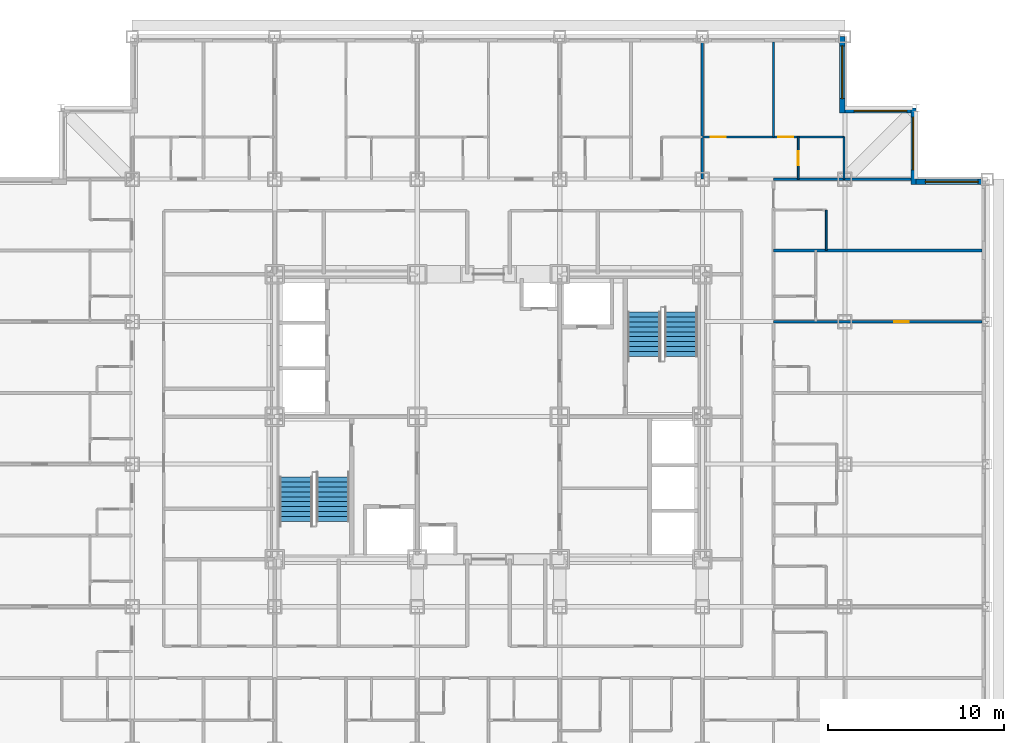
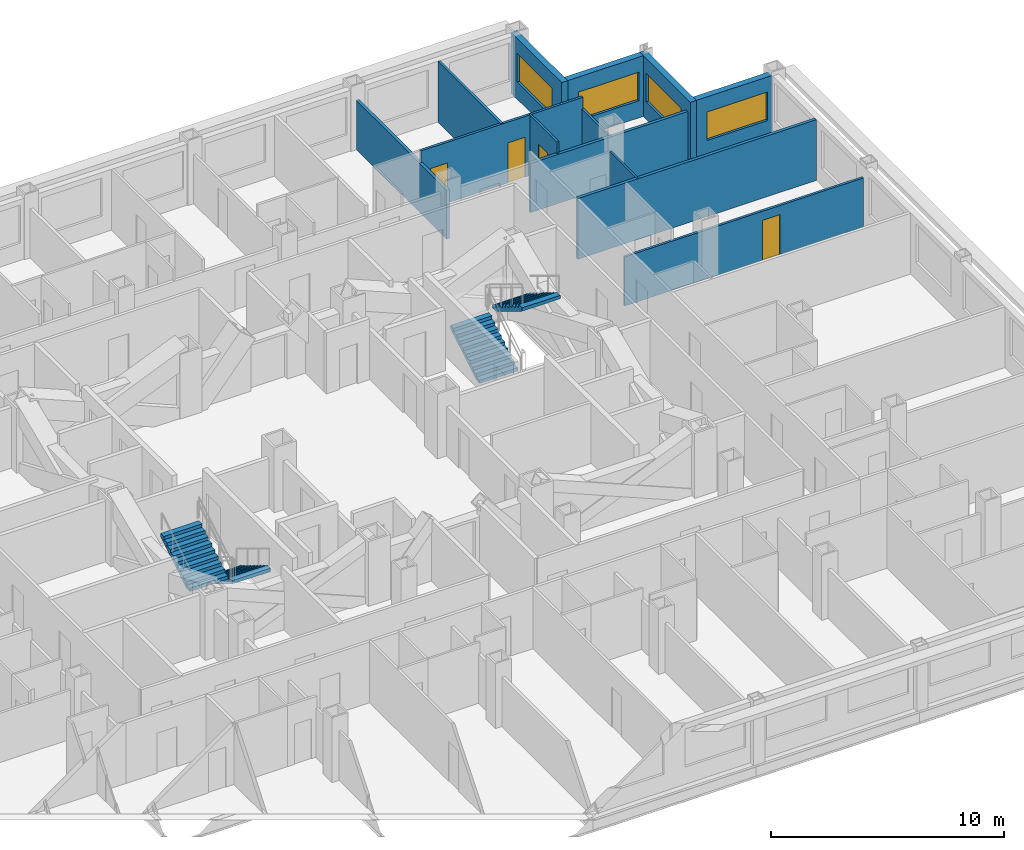
# One storey, part 12 of 13: 13 walls, 4 doors, 4 stair flights, 4 windows, 8 openings, 2 elements without a shape of their own.
"""IFC4 building model written with IfcOpenShell, lengths in metres."""

import ifcopenshell
import ifcopenshell.guid

model = None  # the IFC model being written
_history = None  # IfcOwnerHistory: only IFC2X3 demands one
_inside = {}  # id of a spatial element -> (the spatial element, [elements in it])
_under = {}  # id of a project, library or spatial element -> (it, [spatial elements below it])
_declared = {}  # id of a project -> (the project, [libraries it declares])
_typed = {}  # id of a type object -> (the type object, [elements of that type])
_made_of = {}  # id of a material, layer set ... -> (it, [elements and type objects made of it])


def new_model(schema):
    """Start an empty IFC model of exactly this schema.

    Asked for "IFC4X3", IfcOpenShell would pick the latest addendum, in which some entities
    have other attributes; the version numbers below select the first issue.
    IFC2X3 requires an IfcOwnerHistory on every rooted entity: one is made here for all.
    """
    global model, _history
    if schema == "IFC4X3":
        model = ifcopenshell.file(schema_version=(4, 3, 0, 0))
    else:
        model = ifcopenshell.file(schema=schema)
    _inside.clear()
    _under.clear()
    _declared.clear()
    _typed.clear()
    _made_of.clear()
    _history = None
    if model.schema == "IFC2X3":
        org = make("IfcOrganization", Name="unknown")
        user = make(
            "IfcPersonAndOrganization",
            ThePerson=make("IfcPerson", FamilyName="unknown"),
            TheOrganization=org,
        )
        app = make(
            "IfcApplication",
            ApplicationDeveloper=org,
            Version="unknown",
            ApplicationFullName="unknown",
            ApplicationIdentifier="unknown",
        )
        _history = make(
            "IfcOwnerHistory",
            OwningUser=user,
            OwningApplication=app,
            ChangeAction="ADDED",
            CreationDate=0,
        )
    return model


def make(cls, **values):
    """One entity of the class cls with the attributes given. An attribute that is None is left unset."""
    return model.create_entity(
        cls, **{name: value for name, value in values.items() if value is not None}
    )


def rooted(cls, **values):
    """An entity with a GlobalId (a new one), such as an element, a storey or a relation."""
    return make(cls, GlobalId=ifcopenshell.guid.new(), OwnerHistory=_history, **values)


def si_unit(unit_type, name, prefix=None):
    """IfcSIUnit, for example si_unit("LENGTHUNIT", "METRE", prefix="MILLI")."""
    return make("IfcSIUnit", UnitType=unit_type, Prefix=prefix, Name=name)


def assignment(units):
    """IfcUnitAssignment: the units of a project."""
    return None if units is None else make("IfcUnitAssignment", Units=units)


def point(xyz):
    """IfcCartesianPoint."""
    return None if xyz is None else make("IfcCartesianPoint", Coordinates=xyz)


def direction(xyz):
    """IfcDirection."""
    return None if xyz is None else make("IfcDirection", DirectionRatios=xyz)


def frame(location, z_axis=None, x_axis=None):
    """IfcAxis2Placement3D, a coordinate frame: its origin and axes. An axis left out is left unset."""
    return make(
        "IfcAxis2Placement3D",
        Location=point(location),
        Axis=direction(z_axis),
        RefDirection=direction(x_axis),
    )


def frame_2d(location, x_axis=None):
    """IfcAxis2Placement2D, a coordinate frame in the plane: its origin and x axis."""
    return make(
        "IfcAxis2Placement2D", Location=point(location), RefDirection=direction(x_axis)
    )


def origin():
    """The frame at (0, 0, 0) with its axes left unset."""
    return frame((0.0, 0.0, 0.0))


def place(relative_to, where):
    """IfcLocalPlacement: puts the frame where relative to a parent placement (None: the world)."""
    return make(
        "IfcLocalPlacement", PlacementRelTo=relative_to, RelativePlacement=where
    )


def context(
    kind, dimensions, precision=None, world=None, true_north=None, identifier=None
):
    """IfcGeometricRepresentationContext, for example the 3D "Model" context."""
    return make(
        "IfcGeometricRepresentationContext",
        ContextIdentifier=identifier,
        ContextType=kind,
        CoordinateSpaceDimension=dimensions,
        Precision=precision,
        WorldCoordinateSystem=world,
        TrueNorth=true_north,
    )


def subcontext(parent, identifier, kind, view, scale=None):
    """IfcGeometricRepresentationSubContext, for example "Body" below "Model"."""
    return make(
        "IfcGeometricRepresentationSubContext",
        ContextIdentifier=identifier,
        ContextType=kind,
        ParentContext=parent,
        TargetScale=scale,
        TargetView=view,
    )


def project(units=None, contexts=None):
    """IfcProject with its units and contexts."""
    return rooted(
        "IfcProject",
        Name="project",
        RepresentationContexts=contexts,
        UnitsInContext=assignment(units),
    )


def spatial(cls, under=None, at=None, **own):
    """A site, building, storey or space (cls), placed at a placement, below another one or the project."""
    s = rooted(cls, ObjectPlacement=at, **own)
    if under is not None:
        _under.setdefault(under.id(), (under, []))[1].append(s)
    return s


def point_list(points):
    """IfcCartesianPointList2D or 3D."""
    cls = (
        "IfcCartesianPointList2D" if len(points[0]) == 2 else "IfcCartesianPointList3D"
    )
    return make(cls, CoordList=points)


def profile(cls, at=None, kind="AREA", **sizes):
    """A parametric profile (cls). Its sizes go by their IFC names, for example OverallWidth=200.0."""
    return make(cls, ProfileType=kind, Position=at, **sizes)


def rectangle(**sizes):
    """IfcRectangleProfileDef."""
    return profile("IfcRectangleProfileDef", **sizes)


def extrude(swept, where, along, depth):
    """IfcExtrudedAreaSolid: the profile swept, set in the frame where, extruded along a direction by depth."""
    return make(
        "IfcExtrudedAreaSolid",
        SweptArea=swept,
        Position=where,
        ExtrudedDirection=direction(along),
        Depth=depth,
    )


def polygons(points, faces, closed=None, point_numbers=None):
    """IfcPolygonalFaceSet: a face is its outer loop, then its inner loops; points numbered from 1."""
    made = []
    for loops in faces:
        if len(loops) == 1:
            made.append(make("IfcIndexedPolygonalFace", CoordIndex=loops[0]))
        else:
            made.append(
                make(
                    "IfcIndexedPolygonalFaceWithVoids",
                    CoordIndex=loops[0],
                    InnerCoordIndices=loops[1:],
                )
            )
    return make(
        "IfcPolygonalFaceSet",
        Coordinates=point_list(points),
        Closed=closed,
        Faces=made,
        PnIndex=point_numbers,
    )


def shape(context_of_items, identifier, shape_type, items):
    """IfcShapeRepresentation: the items that make up one representation, for example the "Body"."""
    return make(
        "IfcShapeRepresentation",
        ContextOfItems=context_of_items,
        RepresentationIdentifier=identifier,
        RepresentationType=shape_type,
        Items=items,
    )


def source(mapping_origin, context_of_items, identifier, shape_type, items):
    """IfcRepresentationMap: a shape defined once, which mapped items show again and again."""
    return make(
        "IfcRepresentationMap",
        MappingOrigin=mapping_origin,
        MappedRepresentation=shape(context_of_items, identifier, shape_type, items),
    )


def transform(
    local_origin,
    x_axis=None,
    y_axis=None,
    z_axis=None,
    scale=None,
    scale2=None,
    scale3=None,
    uniform=True,
):
    """IfcCartesianTransformationOperator3D, or its non-uniform kind. x_axis, y_axis, z_axis: its Axis1, 2, 3."""
    if uniform:
        return make(
            "IfcCartesianTransformationOperator3D",
            Axis1=direction(x_axis),
            Axis2=direction(y_axis),
            LocalOrigin=point(local_origin),
            Scale=scale,
            Axis3=direction(z_axis),
        )
    return make(
        "IfcCartesianTransformationOperator3DnonUniform",
        Axis1=direction(x_axis),
        Axis2=direction(y_axis),
        LocalOrigin=point(local_origin),
        Scale=scale,
        Axis3=direction(z_axis),
        Scale2=scale2,
        Scale3=scale3,
    )


def mapped(mapping_source, mapping_target):
    """IfcMappedItem: shows the shape of a source again, moved by a transform."""
    return make(
        "IfcMappedItem", MappingSource=mapping_source, MappingTarget=mapping_target
    )


def material(Name=None, Category=None):
    """IfcMaterial."""
    return make("IfcMaterial", Name=Name, Category=Category)


def layer(
    of_material, thickness, ventilated=None, Name=None, Category=None, Priority=None
):
    """IfcMaterialLayer: one layer of a wall or slab, of a material (None: an air gap)."""
    return make(
        "IfcMaterialLayer",
        Material=of_material,
        LayerThickness=thickness,
        IsVentilated=ventilated,
        Name=Name,
        Category=Category,
        Priority=Priority,
    )


def layer_set(layers, Name=None):
    """IfcMaterialLayerSet."""
    return make("IfcMaterialLayerSet", MaterialLayers=layers, LayerSetName=Name)


def made_of(thing, what):
    """Note that an element or type object is made of a material, layer set ...; save() writes the relation."""
    if what is not None:
        _made_of.setdefault(what.id(), (what, []))[1].append(thing)
    return thing


def type_object(cls, material=None, **own):
    """A type object (cls), such as IfcWallType, which elements share."""
    return made_of(rooted(cls, **own), material)


def element(
    cls,
    number,
    at=None,
    inside=None,
    cuts=None,
    type_object=None,
    material=None,
    context=None,
    identifier="Body",
    shape_type=None,
    held_by="IfcProductDefinitionShape",
    body=None,
    shapes=None,
    **own,
):
    """One element of the class cls, such as IfcWall. Its Tag is "e" and its number.

    at: its placement. inside: the storey or other place that contains it. cuts: it is an
    opening in that element (IfcRelVoidsElement). A single representation is given by context,
    identifier, shape_type and body (its items); several are given by shapes. held_by: the class
    of the entity that holds the representations. save() writes the other relations.
    """
    e = rooted(cls, Tag="e%d" % number, ObjectPlacement=at, **own)
    if body is not None:
        shapes = [shape(context, identifier, shape_type, body)]
    if shapes is not None:
        e.Representation = make(held_by, Representations=shapes)
    if inside is not None:
        _inside.setdefault(inside.id(), (inside, []))[1].append(e)
    if cuts is not None:
        rooted(
            "IfcRelVoidsElement", RelatingBuildingElement=cuts, RelatedOpeningElement=e
        )
    if type_object is not None:
        _typed.setdefault(type_object.id(), (type_object, []))[1].append(e)
    return made_of(e, material)


def fill(opening, filler):
    """IfcRelFillsElement: the door or window that sits in an opening."""
    return rooted(
        "IfcRelFillsElement",
        RelatingOpeningElement=opening,
        RelatedBuildingElement=filler,
    )


def aggregate(whole, parts):
    """IfcRelAggregates: a whole, such as a stair, and the parts it consists of."""
    return rooted("IfcRelAggregates", RelatingObject=whole, RelatedObjects=parts)


def save(model, path):
    """Write the relations noted so far, then the file.

    IfcRelAggregates (storeys below a building ...), IfcRelContainedInSpatialStructure (elements
    in a storey), IfcRelDefinesByType, IfcRelAssociatesMaterial and IfcRelDeclares: one each for
    every whole, place, type object, material and project.
    """
    for whole, parts in _under.values():
        aggregate(whole, parts)
    for where, things in _inside.values():
        rooted(
            "IfcRelContainedInSpatialStructure",
            RelatedElements=things,
            RelatingStructure=where,
        )
    for kind, things in _typed.values():
        rooted("IfcRelDefinesByType", RelatedObjects=things, RelatingType=kind)
    for what, things in _made_of.values():
        rooted("IfcRelAssociatesMaterial", RelatedObjects=things, RelatingMaterial=what)
    for by, libraries in _declared.values():
        rooted("IfcRelDeclares", RelatingContext=by, RelatedDefinitions=libraries)
    model.write(path)


model = new_model("IFC4")

# Units and contexts
model_context = context("Model", 3, precision=1e-05, world=origin(), true_north=direction((0.0, 1.0)))
body_context = subcontext(model_context, "Body", "Model", "MODEL_VIEW")
ifc_project = project(units=[si_unit("LENGTHUNIT", "METRE"), si_unit("AREAUNIT", "SQUARE_METRE"), si_unit("VOLUMEUNIT", "CUBIC_METRE"), si_unit("PLANEANGLEUNIT", "RADIAN"), si_unit("MASSUNIT", "GRAM", prefix="KILO")], contexts=[model_context])

# Site, building, storey
site_placement = place(None, origin())
site = spatial("IfcSite", under=ifc_project, at=site_placement, CompositionType="ELEMENT")
building_placement = place(site_placement, origin())
building = spatial("IfcBuilding", under=site, at=building_placement, Name="Kopane Lantern Tower", CompositionType="ELEMENT")
storey_placement = place(building_placement, frame((0.0, 0.0, 134.0)))
storey = spatial("IfcBuildingStorey", under=building, at=storey_placement, Name="L34", CompositionType="ELEMENT", Elevation=134.0)

# Wall, opening, door
ifc_material_1 = material(Name="Gypsum board on steel studs", Category="steel")
ifc_layer_1 = layer(ifc_material_1, 0.1201171875)
ifc_layer_set_1 = layer_set([ifc_layer_1], Name="APARTMENT INTERNAL WALL 120")
wall_type_1 = type_object("IfcWallType", Name="APARTMENT INTERNAL WALL 120", PredefinedType="PARTITIONING", material=ifc_layer_set_1)
wall_1_placement = place(storey_placement, frame((44.550048828125, 37.800048828125, 0.0), z_axis=(0.0, 0.0, 1.0), x_axis=(1.0, 0.0, 0.0)))
wall_1 = element("IfcWall", 1, at=wall_1_placement, inside=storey, type_object=wall_type_1, Name="Apartment Internal Wall 120 L34", PredefinedType="PARTITIONING", context=body_context, shape_type="SweptSolid", body=[
    extrude(rectangle(XDim=11.849853515625, YDim=0.1201171875, at=frame_2d((5.9248046875, 0.0))), origin(), (0.0, 0.0, 1.0), 2.577880859375),
])
opening_1_placement = place(wall_1_placement, frame((6.85009765625, 0.0, 0.0)))
opening_1 = element("IfcOpeningElement", 2, at=opening_1_placement, cuts=wall_1, Name="Opening L34-067", PredefinedType="OPENING", context=body_context, shape_type="SweptSolid", body=[
    extrude(rectangle(XDim=0.85009765625, YDim=2.10009765625, at=frame_2d((0.425048828125, 1.050048828125))), frame((0.0, 0.070068359375, 0.0), z_axis=(0.0, -1.0, 0.0), x_axis=(1.0, 0.0, 0.0)), (0.0, 0.0, 1.0), 0.14013671875),
])
ifc_material_2 = material(Name="Timber door set", Category="wood")
door_type_1 = type_object("IfcDoorType", Name="DOOR D4 850x2100", OperationType="SINGLE_SWING_LEFT", PredefinedType="DOOR", material=ifc_material_2)
door_1_placement = place(opening_1_placement, origin())
door_1 = element("IfcDoor", 3, at=door_1_placement, inside=storey, type_object=door_type_1, Name="Door L34-067", OperationType="SINGLE_SWING_LEFT", OverallHeight=2.10009765625, OverallWidth=0.85009765625, PredefinedType="DOOR", context=body_context, shape_type="SweptSolid", body=[
    extrude(rectangle(XDim=0.85009765625, YDim=2.10009765625, at=frame_2d((0.425048828125, 1.050048828125))), frame((0.0, 0.02490234375, 0.0), z_axis=(0.0, -1.0, 0.0), x_axis=(1.0, 0.0, 0.0)), (0.0, 0.0, 1.0), 0.050048828125),
])
fill(opening_1, door_1)

# Wall, openings, doors
wall_2_placement = place(storey_placement, frame((40.5, 48.300048828125, 0.0), z_axis=(0.0, 0.0, 1.0), x_axis=(1.0, 0.0, 0.0)))
wall_2 = element("IfcWall", 4, at=wall_2_placement, inside=storey, type_object=wall_type_1, Name="Apartment Internal Wall 120 L34", PredefinedType="PARTITIONING", context=body_context, shape_type="SweptSolid", body=[
    extrude(rectangle(XDim=8.050048828125, YDim=0.1201171875, at=frame_2d((4.02490234375, 0.0))), origin(), (0.0, 0.0, 1.0), 3.18994140625),
])
opening_2_placement = place(wall_2_placement, frame((0.47509765625, 0.0, 0.0)))
opening_2 = element("IfcOpeningElement", 5, at=opening_2_placement, cuts=wall_2, Name="Opening L34-081", PredefinedType="OPENING", context=body_context, shape_type="SweptSolid", body=[
    extrude(rectangle(XDim=0.85009765625, YDim=2.10009765625, at=frame_2d((0.425048828125, 1.050048828125))), frame((0.0, 0.070068359375, 0.0), z_axis=(0.0, -1.0, 0.0), x_axis=(1.0, 0.0, 0.0)), (0.0, 0.0, 1.0), 0.14013671875),
])
opening_3_placement = place(wall_2_placement, frame((4.324951171875, 0.0, 0.0)))
opening_3 = element("IfcOpeningElement", 6, at=opening_3_placement, cuts=wall_2, Name="Opening L34-083", PredefinedType="OPENING", context=body_context, shape_type="SweptSolid", body=[
    extrude(rectangle(XDim=0.85009765625, YDim=2.10009765625, at=frame_2d((0.425048828125, 1.050048828125))), frame((0.0, 0.070068359375, 0.0), z_axis=(0.0, -1.0, 0.0), x_axis=(1.0, 0.0, 0.0)), (0.0, 0.0, 1.0), 0.14013671875),
])
door_2_placement = place(opening_2_placement, origin())
door_2 = element("IfcDoor", 7, at=door_2_placement, inside=storey, type_object=door_type_1, Name="Door L34-081", OperationType="SINGLE_SWING_RIGHT", OverallHeight=2.10009765625, OverallWidth=0.85009765625, PredefinedType="DOOR", context=body_context, shape_type="SweptSolid", body=[
    extrude(rectangle(XDim=0.85009765625, YDim=2.10009765625, at=frame_2d((0.425048828125, 1.050048828125))), frame((0.0, 0.02490234375, 0.0), z_axis=(0.0, -1.0, 0.0), x_axis=(1.0, 0.0, 0.0)), (0.0, 0.0, 1.0), 0.050048828125),
])
fill(opening_2, door_2)
door_3_placement = place(opening_3_placement, origin())
door_3 = element("IfcDoor", 8, at=door_3_placement, inside=storey, type_object=door_type_1, Name="Door L34-083", OperationType="SINGLE_SWING_LEFT", OverallHeight=2.10009765625, OverallWidth=0.85009765625, PredefinedType="DOOR", context=body_context, shape_type="SweptSolid", body=[
    extrude(rectangle(XDim=0.85009765625, YDim=2.10009765625, at=frame_2d((0.425048828125, 1.050048828125))), frame((0.0, 0.02490234375, 0.0), z_axis=(0.0, -1.0, 0.0), x_axis=(1.0, 0.0, 0.0)), (0.0, 0.0, 1.0), 0.050048828125),
])
fill(opening_3, door_3)

# Walls
wall_3_placement = place(storey_placement, frame((44.550048828125, 48.300048828125, 0.0), z_axis=(0.0, 0.0, 1.0), x_axis=(0.0, 1.0, 0.0)))
element("IfcWall", 9, at=wall_3_placement, inside=storey, type_object=wall_type_1, Name="Apartment Internal Wall 120 L34", PredefinedType="PARTITIONING", context=body_context, shape_type="SweptSolid", body=[
    extrude(rectangle(XDim=5.39990234375, YDim=0.1201171875, at=frame_2d((2.699951171875, 0.0))), origin(), (0.0, 0.0, 1.0), 3.18994140625),
])
ifc_material_3 = material(Name="Moisture-resistant board on steel studs", Category="steel")
ifc_layer_2 = layer(ifc_material_3, 0.10009765625)
ifc_layer_set_2 = layer_set([ifc_layer_2], Name="BATHROOM WALL 100")
wall_type_2 = type_object("IfcWallType", Name="BATHROOM WALL 100", PredefinedType="PARTITIONING", material=ifc_layer_set_2)
wall_4_placement = place(storey_placement, frame((47.550048828125, 41.85009765625, 0.0), z_axis=(0.0, 0.0, 1.0), x_axis=(0.0, 1.0, 0.0)))
element("IfcWall", 10, at=wall_4_placement, inside=storey, type_object=wall_type_2, Name="Bathroom Wall 100 L34", PredefinedType="PARTITIONING", context=body_context, shape_type="SweptSolid", body=[
    extrude(rectangle(XDim=2.2998046875, YDim=0.10009765625, at=frame_2d((1.14990234375, 0.0))), origin(), (0.0, 0.0, 1.0), 3.18994140625),
])

# Wall, opening, door
wall_5_placement = place(storey_placement, frame((45.949951171875, 45.89990234375, 0.0), z_axis=(0.0, 0.0, 1.0), x_axis=(0.0, 1.0, 0.0)))
wall_5 = element("IfcWall", 11, at=wall_5_placement, inside=storey, type_object=wall_type_2, Name="Bathroom Wall 100 L34", PredefinedType="PARTITIONING", context=body_context, shape_type="SweptSolid", body=[
    extrude(rectangle(XDim=2.400146484375, YDim=0.10009765625, at=frame_2d((1.2001953125, 0.0))), origin(), (0.0, 0.0, 1.0), 3.18994140625),
])
opening_4_placement = place(wall_5_placement, frame((0.800048828125, 0.0, 0.0)))
opening_4 = element("IfcOpeningElement", 12, at=opening_4_placement, cuts=wall_5, Name="Opening L34-082", PredefinedType="OPENING", context=body_context, shape_type="SweptSolid", body=[
    extrude(rectangle(XDim=0.800048828125, YDim=2.10009765625, at=frame_2d((0.39990234375, 1.050048828125))), frame((0.0, 0.06005859375, 0.0), z_axis=(0.0, -1.0, 0.0), x_axis=(1.0, 0.0, 0.0)), (0.0, 0.0, 1.0), 0.1201171875),
])
ifc_material_4 = material(Name="Timber door set", Category="wood")
door_type_2 = type_object("IfcDoorType", Name="DOOR D2 800x2100", OperationType="SINGLE_SWING_LEFT", PredefinedType="DOOR", material=ifc_material_4)
door_4_placement = place(opening_4_placement, origin())
door_4 = element("IfcDoor", 13, at=door_4_placement, inside=storey, type_object=door_type_2, Name="Door L34-082", OperationType="SINGLE_SWING_RIGHT", OverallHeight=2.10009765625, OverallWidth=0.800048828125, PredefinedType="DOOR", context=body_context, shape_type="SweptSolid", body=[
    extrude(rectangle(XDim=0.800048828125, YDim=2.10009765625, at=frame_2d((0.39990234375, 1.050048828125))), frame((0.0, 0.02490234375, 0.0), z_axis=(0.0, -1.0, 0.0), x_axis=(1.0, 0.0, 0.0)), (0.0, 0.0, 1.0), 0.050048828125),
])
fill(opening_4, door_4)

# Walls
wall_6_placement = place(storey_placement, frame((48.550048828125, 45.89990234375, 0.0), z_axis=(0.0, 0.0, 1.0), x_axis=(0.0, 1.0, 0.0)))
element("IfcWall", 14, at=wall_6_placement, inside=storey, type_object=wall_type_2, Name="Bathroom Wall 100 L34", PredefinedType="PARTITIONING", context=body_context, shape_type="SweptSolid", body=[
    extrude(rectangle(XDim=2.400146484375, YDim=0.10009765625, at=frame_2d((1.2001953125, 0.0))), origin(), (0.0, 0.0, 1.0), 2.577880859375),
])
ifc_material_5 = material(Name="Gypsum board on steel studs", Category="steel")
ifc_layer_3 = layer(ifc_material_5, 0.14990234375)
ifc_layer_set_3 = layer_set([ifc_layer_3], Name="DEMISING WALL 150 EI 60")
wall_type_3 = type_object("IfcWallType", Name="DEMISING WALL 150 EI 60", PredefinedType="PARTITIONING", material=ifc_layer_set_3)
wall_7_placement = place(storey_placement, frame((44.550048828125, 41.85009765625, 0.0), z_axis=(0.0, 0.0, 1.0), x_axis=(1.0, 0.0, 0.0)))
element("IfcWall", 15, at=wall_7_placement, inside=storey, type_object=wall_type_3, Name="Demising Wall 150 Ei 60 L34", PredefinedType="PARTITIONING", context=body_context, shape_type="SweptSolid", body=[
    extrude(rectangle(XDim=11.849853515625, YDim=0.14990234375, at=frame_2d((5.9248046875, 0.0))), origin(), (0.0, 0.0, 1.0), 3.18994140625),
])
for number, where, z_axis, x_axis, name in (
    (16, (44.550048828125, 45.89990234375, 0.0), (0.0, 0.0, 1.0), (1.0, 0.0, 0.0), "Demising Wall 150 Ei 60 L34"),
    (17, (40.5, 45.89990234375, 0.0), (0.0, 0.0, 1.0), (0.0, 1.0, 0.0), "Demising Wall 150 Ei 60 L34"),
):
    element("IfcWall", number, at=place(storey_placement, frame(where, z_axis=z_axis, x_axis=x_axis)), inside=storey, type_object=wall_type_3, Name=name, PredefinedType="PARTITIONING", context=body_context, shape_type="SweptSolid", body=[
        extrude(rectangle(XDim=7.800048828125, YDim=0.14990234375, at=frame_2d((3.89990234375, 0.0))), origin(), (0.0, 0.0, 1.0), 2.577880859375),
    ])

# Wall, opening, window
ifc_material_6 = material(Name="Terracotta rainscreen on light steel framing", Category="masonry")
ifc_layer_4 = layer(ifc_material_6, 0.300048828125)
ifc_layer_set_4 = layer_set([ifc_layer_4], Name="EXTERNAL WALL EW1 300 TERRACOTTA")
wall_type_4 = type_object("IfcWallType", Name="EXTERNAL WALL EW1 300 TERRACOTTA", PredefinedType="SOLIDWALL", material=ifc_layer_set_4)
wall_8_placement = place(storey_placement, frame((56.39990234375, 45.75, 0.0), z_axis=(0.0, 0.0, 1.0), x_axis=(-1.0, 0.0, 0.0)))
wall_8 = element("IfcWall", 18, at=wall_8_placement, inside=storey, type_object=wall_type_4, Name="External wall N L34", PredefinedType="SOLIDWALL", context=body_context, shape_type="SweptSolid", body=[
    extrude(rectangle(XDim=3.75, YDim=0.300048828125, at=frame_2d((1.875, 0.0))), origin(), (0.0, 0.0, 1.0), 3.18994140625),
])
opening_5_placement = place(wall_8_placement, frame((0.22509765625, 0.0, 0.89990234375)))
opening_5 = element("IfcOpeningElement", 19, at=opening_5_placement, cuts=wall_8, Name="Opening WR300150", PredefinedType="OPENING", context=body_context, shape_type="SweptSolid", body=[
    extrude(rectangle(XDim=3.0, YDim=1.5, at=frame_2d((1.5, 0.75))), frame((0.0, 0.159912109375, 0.0), z_axis=(0.0, -1.0, 0.0), x_axis=(1.0, 0.0, 0.0)), (0.0, 0.0, 1.0), 0.320068359375),
])
ifc_material_7 = material(Name="Aluminium and clear glass", Category="aluminium")
window_type = type_object("IfcWindowType", Name="RIBBON WINDOW WR300150 3000x1500", PartitioningType="SINGLE_PANEL", PredefinedType="WINDOW", material=ifc_material_7)
window_1_placement = place(opening_5_placement, origin())
window_1 = element("IfcWindow", 20, at=window_1_placement, inside=storey, type_object=window_type, Name="Window N L34", OverallHeight=1.5, OverallWidth=3.0, PartitioningType="SINGLE_PANEL", PredefinedType="WINDOW", context=body_context, shape_type="SweptSolid", body=[
    extrude(rectangle(XDim=3.0, YDim=1.5, at=frame_2d((1.5, 0.75))), frame((0.0, 0.030029296875, 0.0), z_axis=(0.0, -1.0, 0.0), x_axis=(1.0, 0.0, 0.0)), (0.0, 0.0, 1.0), 0.06005859375),
])
fill(opening_5, window_1)

wall_9_placement = place(storey_placement, frame((52.5, 45.60009765625, 0.0), z_axis=(0.0, 0.0, 1.0), x_axis=(0.0, 1.0, 0.0)))
wall_9 = element("IfcWall", 21, at=wall_9_placement, inside=storey, type_object=wall_type_4, Name="External wall E L34", PredefinedType="SOLIDWALL", context=body_context, shape_type="SweptSolid", body=[
    extrude(rectangle(XDim=4.349853515625, YDim=0.300048828125, at=frame_2d((2.1748046875, 0.0))), origin(), (0.0, 0.0, 1.0), 3.18994140625),
])
opening_6_placement = place(wall_9_placement, frame((0.824951171875, 0.0, 0.89990234375)))
opening_6 = element("IfcOpeningElement", 22, at=opening_6_placement, cuts=wall_9, Name="Opening WR300150", PredefinedType="OPENING", context=body_context, shape_type="SweptSolid", body=[
    extrude(rectangle(XDim=3.0, YDim=1.5, at=frame_2d((1.5, 0.75))), frame((0.0, 0.159912109375, 0.0), z_axis=(0.0, -1.0, 0.0), x_axis=(1.0, 0.0, 0.0)), (0.0, 0.0, 1.0), 0.320068359375),
])
window_2_placement = place(opening_6_placement, origin())
window_2 = element("IfcWindow", 23, at=window_2_placement, inside=storey, type_object=window_type, Name="Window E L34", OverallHeight=1.5, OverallWidth=3.0, PartitioningType="SINGLE_PANEL", PredefinedType="WINDOW", context=body_context, shape_type="SweptSolid", body=[
    extrude(rectangle(XDim=3.0, YDim=1.5, at=frame_2d((1.5, 0.75))), frame((0.0, 0.030029296875, 0.0), z_axis=(0.0, -1.0, 0.0), x_axis=(1.0, 0.0, 0.0)), (0.0, 0.0, 1.0), 0.06005859375),
])
fill(opening_6, window_2)

wall_10_placement = place(storey_placement, frame((52.35009765625, 49.800048828125, 0.0), z_axis=(0.0, 0.0, 1.0), x_axis=(-1.0, 0.0, 0.0)))
wall_10 = element("IfcWall", 24, at=wall_10_placement, inside=storey, type_object=wall_type_4, Name="External wall N L34", PredefinedType="SOLIDWALL", context=body_context, shape_type="SweptSolid", body=[
    extrude(rectangle(XDim=3.75, YDim=0.300048828125, at=frame_2d((1.875, 0.0))), origin(), (0.0, 0.0, 1.0), 3.18994140625),
])
opening_7_placement = place(wall_10_placement, frame((0.22509765625, 0.0, 0.89990234375)))
opening_7 = element("IfcOpeningElement", 25, at=opening_7_placement, cuts=wall_10, Name="Opening WR300150", PredefinedType="OPENING", context=body_context, shape_type="SweptSolid", body=[
    extrude(rectangle(XDim=3.0, YDim=1.5, at=frame_2d((1.5, 0.75))), frame((0.0, 0.159912109375, 0.0), z_axis=(0.0, -1.0, 0.0), x_axis=(1.0, 0.0, 0.0)), (0.0, 0.0, 1.0), 0.320068359375),
])
window_3_placement = place(opening_7_placement, origin())
window_3 = element("IfcWindow", 26, at=window_3_placement, inside=storey, type_object=window_type, Name="Window N L34", OverallHeight=1.5, OverallWidth=3.0, PartitioningType="SINGLE_PANEL", PredefinedType="WINDOW", context=body_context, shape_type="SweptSolid", body=[
    extrude(rectangle(XDim=3.0, YDim=1.5, at=frame_2d((1.5, 0.75))), frame((0.0, 0.030029296875, 0.0), z_axis=(0.0, -1.0, 0.0), x_axis=(1.0, 0.0, 0.0)), (0.0, 0.0, 1.0), 0.06005859375),
])
fill(opening_7, window_3)

wall_11_placement = place(storey_placement, frame((48.449951171875, 49.64990234375, 0.0), z_axis=(0.0, 0.0, 1.0), x_axis=(0.0, 1.0, 0.0)))
wall_11 = element("IfcWall", 27, at=wall_11_placement, inside=storey, type_object=wall_type_4, Name="External wall E L34", PredefinedType="SOLIDWALL", context=body_context, shape_type="SweptSolid", body=[
    extrude(rectangle(XDim=4.35009765625, YDim=0.300048828125, at=frame_2d((2.175048828125, 0.0))), origin(), (0.0, 0.0, 1.0), 3.18994140625),
])
opening_8_placement = place(wall_11_placement, frame((0.824951171875, 0.0, 0.89990234375)))
opening_8 = element("IfcOpeningElement", 28, at=opening_8_placement, cuts=wall_11, Name="Opening WR300150", PredefinedType="OPENING", context=body_context, shape_type="SweptSolid", body=[
    extrude(rectangle(XDim=3.0, YDim=1.5, at=frame_2d((1.5, 0.75))), frame((0.0, 0.159912109375, 0.0), z_axis=(0.0, -1.0, 0.0), x_axis=(1.0, 0.0, 0.0)), (0.0, 0.0, 1.0), 0.320068359375),
])
window_4_placement = place(opening_8_placement, origin())
window_4 = element("IfcWindow", 29, at=window_4_placement, inside=storey, type_object=window_type, Name="Window E L34", OverallHeight=1.5, OverallWidth=3.0, PartitioningType="SINGLE_PANEL", PredefinedType="WINDOW", context=body_context, shape_type="SweptSolid", body=[
    extrude(rectangle(XDim=3.0, YDim=1.5, at=frame_2d((1.5, 0.75))), frame((0.0, 0.030029296875, 0.0), z_axis=(0.0, -1.0, 0.0), x_axis=(1.0, 0.0, 0.0)), (0.0, 0.0, 1.0), 0.06005859375),
])
fill(opening_8, window_4)

# Stair, stair flights
ifc_material_8 = material(Name="Steel S355JR", Category="steel")
stair_type = type_object("IfcStairType", Name="EXIT STAIR 1900 HALF TURN", PredefinedType="HALF_TURN_STAIR", material=ifc_material_8)
stair_1_placement = place(storey_placement, origin())
stair_1 = element("IfcStair", 30, at=stair_1_placement, inside=storey, type_object=stair_type, Name="Exit stair ST1 L34", PredefinedType="HALF_TURN_STAIR")
ifc_material_9 = material(Name="Steel S355JR", Category="steel")
stair_flight_type = type_object("IfcStairFlightType", Name="STAIR FLIGHT 1900 STEEL", PredefinedType="STRAIGHT", material=ifc_material_9)
shared_shape = source(origin(), body_context, "Body", "Tessellation", [
    polygons([(2.520019531, 0.949951172, 1.530029297), (2.239990234, 0.949951172, 1.530029297), (2.239990234, -0.949951172, 1.530029297), (2.520019531, -0.949951172, 1.530029297), (0.288818359, 0.949951172, 0.0), (2.520019531, 0.949951172, 1.354736328), (2.520019531, -0.949951172, 1.354736328), (0.288818359, -0.949951172, 0.0), (0.0, 0.949951172, 0.0), (0.0, -0.949951172, 0.0), (0.280029297, 0.949951172, 0.169921875), (0.0, 0.949951172, 0.169921875), (0.0, -0.949951172, 0.169921875), (0.280029297, -0.949951172, 0.169921875), (0.280029297, 0.949951172, 0.340087891), (0.280029297, -0.949951172, 0.340087891), (0.560058594, 0.949951172, 0.340087891), (0.560058594, -0.949951172, 0.340087891), (0.560058594, 0.949951172, 0.510009766), (0.560058594, -0.949951172, 0.510009766), (0.840087891, 0.949951172, 0.510009766), (0.840087891, -0.949951172, 0.510009766), (0.840087891, 0.949951172, 0.679931641), (0.840087891, -0.949951172, 0.679931641), (1.120117188, 0.949951172, 0.679931641), (1.120117188, -0.949951172, 0.679931641), (1.120117188, 0.949951172, 0.850097656), (1.120117188, -0.949951172, 0.850097656), (1.399902344, 0.949951172, 0.850097656), (1.399902344, -0.949951172, 0.850097656), (1.399902344, 0.949951172, 1.020019531), (1.399902344, -0.949951172, 1.020019531), (1.679931641, 0.949951172, 1.020019531), (1.679931641, -0.949951172, 1.020019531), (1.679931641, 0.949951172, 1.189941406), (1.679931641, -0.949951172, 1.189941406), (1.959960938, 0.949951172, 1.189941406), (1.959960938, -0.949951172, 1.189941406), (1.959960938, 0.949951172, 1.360107422), (1.959960938, -0.949951172, 1.360107422), (2.239990234, 0.949951172, 1.360107422), (2.239990234, -0.949951172, 1.360107422), (0.0, 0.0, 0.004592483), (0.0, 0.0, 0.009184966), (0.0, 0.0, 0.013777449), (0.0, 0.0, 0.018369932), (0.0, 0.0, 0.022962416), (0.0, 0.0, 0.027554899), (0.0, 0.0, 0.032147382), (0.0, 0.0, 0.036739865), (0.0, 0.0, 0.041332348), (0.0, 0.0, 0.045924831), (0.0, 0.0, 0.050517314), (0.0, 0.0, 0.055109797), (0.0, 0.0, 0.05970228), (0.0, 0.0, 0.064294764), (0.0, 0.0, 0.068887247), (0.0, 0.0, 0.07347973), (0.0, 0.0, 0.078072213), (0.0, 0.0, 0.082664696), (0.0, 0.0, 0.087257179), (0.0, 0.0, 0.091849662), (0.0, 0.0, 0.096442145), (0.0, 0.0, 0.101034628), (0.0, 0.0, 0.105627111), (0.0, 0.0, 0.110219595), (0.0, 0.0, 0.114812078), (0.0, 0.0, 0.119404561), (0.0, 0.0, 0.123997044), (0.0, 0.0, 0.128589527), (0.0, 0.0, 0.13318201), (0.0, 0.0, 0.137774493), (0.0, 0.0, 0.142366976), (0.0, 0.0, 0.146959459), (0.0, 0.0, 0.151551943), (0.0, 0.0, 0.156144426), (0.0, 0.0, 0.160736909), (0.0, 0.0, 0.165329392), (2.520019531, 0.0, 1.359473976), (2.520019531, 0.0, 1.364211624), (2.520019531, 0.0, 1.368949272), (2.520019531, 0.0, 1.373686919), (2.520019531, 0.0, 1.378424567), (2.520019531, 0.0, 1.383162215), (2.520019531, 0.0, 1.387899863), (2.520019531, 0.0, 1.392637511), (2.520019531, 0.0, 1.397375158), (2.520019531, 0.0, 1.402112806), (2.520019531, 0.0, 1.406850454), (2.520019531, 0.0, 1.411588102), (2.520019531, 0.0, 1.41632575), (2.520019531, 0.0, 1.421063397), (2.520019531, 0.0, 1.425801045), (2.520019531, 0.0, 1.430538693), (2.520019531, 0.0, 1.435276341), (2.520019531, 0.0, 1.440013989), (2.520019531, 0.0, 1.444751636), (2.520019531, 0.0, 1.449489284), (2.520019531, 0.0, 1.454226932), (2.520019531, 0.0, 1.45896458), (2.520019531, 0.0, 1.463702228), (2.520019531, 0.0, 1.468439875), (2.520019531, 0.0, 1.473177523), (2.520019531, 0.0, 1.477915171), (2.520019531, 0.0, 1.482652819), (2.520019531, 0.0, 1.487390467), (2.520019531, 0.0, 1.492128114), (2.520019531, 0.0, 1.496865762), (2.520019531, 0.0, 1.50160341), (2.520019531, 0.0, 1.506341058), (2.520019531, 0.0, 1.511078706), (2.520019531, 0.0, 1.515816353), (2.520019531, 0.0, 1.520554001), (2.520019531, 0.0, 1.525291649)], [[[1, 2, 3]], [[1, 3, 4]], [[5, 6, 7]], [[5, 7, 8]], [[9, 5, 8]], [[9, 8, 10]], [[11, 12, 13]], [[11, 13, 14]], [[15, 11, 14]], [[15, 14, 16]], [[17, 15, 16]], [[17, 16, 18]], [[19, 17, 18]], [[19, 18, 20]], [[21, 19, 20]], [[21, 20, 22]], [[23, 21, 22]], [[23, 22, 24]], [[25, 23, 24]], [[25, 24, 26]], [[27, 25, 26]], [[27, 26, 28]], [[29, 27, 28]], [[29, 28, 30]], [[31, 29, 30]], [[31, 30, 32]], [[33, 31, 32]], [[33, 32, 34]], [[35, 33, 34]], [[35, 34, 36]], [[37, 35, 36]], [[37, 36, 38]], [[39, 37, 38]], [[39, 38, 40]], [[41, 39, 40]], [[41, 40, 42]], [[2, 41, 42]], [[2, 42, 3]], [[41, 1, 6]], [[37, 41, 6]], [[2, 1, 41]], [[33, 37, 6]], [[39, 41, 37]], [[35, 37, 33]], [[31, 33, 29]], [[5, 21, 25]], [[27, 29, 25]], [[17, 21, 5]], [[23, 25, 21]], [[11, 17, 5]], [[19, 21, 17]], [[9, 11, 5]], [[15, 17, 11]], [[12, 11, 9]], [[6, 5, 25]], [[6, 25, 29]], [[6, 29, 33]], [[7, 4, 42]], [[7, 42, 38]], [[42, 4, 3]], [[7, 38, 34]], [[38, 42, 40]], [[34, 38, 36]], [[30, 34, 32]], [[26, 22, 8]], [[26, 30, 28]], [[8, 22, 18]], [[22, 26, 24]], [[8, 18, 14]], [[18, 22, 20]], [[8, 14, 10]], [[14, 18, 16]], [[10, 14, 13]], [[26, 8, 7]], [[30, 26, 7]], [[34, 30, 7]], [[10, 43, 9]], [[10, 44, 43]], [[9, 43, 44]], [[10, 45, 44]], [[9, 44, 45]], [[10, 46, 45]], [[9, 45, 46]], [[10, 47, 46]], [[9, 46, 47]], [[10, 48, 47]], [[9, 47, 48]], [[10, 49, 48]], [[9, 48, 49]], [[10, 50, 49]], [[9, 49, 50]], [[10, 51, 50]], [[9, 50, 51]], [[10, 52, 51]], [[9, 51, 52]], [[10, 53, 52]], [[9, 52, 53]], [[10, 54, 53]], [[9, 53, 54]], [[10, 55, 54]], [[9, 54, 55]], [[10, 56, 55]], [[9, 55, 56]], [[10, 57, 56]], [[9, 56, 57]], [[10, 58, 57]], [[9, 57, 58]], [[10, 59, 58]], [[9, 58, 59]], [[10, 60, 59]], [[9, 59, 60]], [[10, 61, 60]], [[9, 60, 61]], [[10, 62, 61]], [[9, 61, 62]], [[10, 63, 62]], [[9, 62, 63]], [[10, 64, 63]], [[9, 63, 64]], [[10, 65, 64]], [[9, 64, 65]], [[10, 66, 65]], [[9, 65, 66]], [[10, 67, 66]], [[9, 66, 67]], [[10, 68, 67]], [[9, 67, 68]], [[10, 69, 68]], [[9, 68, 69]], [[10, 70, 69]], [[9, 69, 70]], [[10, 71, 70]], [[9, 70, 71]], [[10, 72, 71]], [[9, 71, 72]], [[10, 73, 72]], [[9, 72, 73]], [[10, 74, 73]], [[9, 73, 74]], [[10, 75, 74]], [[9, 74, 75]], [[10, 76, 75]], [[9, 75, 76]], [[10, 77, 76]], [[9, 76, 77]], [[10, 78, 77]], [[9, 77, 78]], [[10, 13, 78]], [[78, 13, 12]], [[9, 78, 12]], [[7, 6, 79]], [[7, 79, 80]], [[6, 80, 79]], [[7, 80, 81]], [[6, 81, 80]], [[7, 81, 82]], [[6, 82, 81]], [[7, 82, 83]], [[6, 83, 82]], [[7, 83, 84]], [[6, 84, 83]], [[7, 84, 85]], [[6, 85, 84]], [[7, 85, 86]], [[6, 86, 85]], [[7, 86, 87]], [[6, 87, 86]], [[7, 87, 88]], [[6, 88, 87]], [[7, 88, 89]], [[6, 89, 88]], [[7, 89, 90]], [[6, 90, 89]], [[7, 90, 91]], [[6, 91, 90]], [[7, 91, 92]], [[6, 92, 91]], [[7, 92, 93]], [[6, 93, 92]], [[7, 93, 94]], [[6, 94, 93]], [[7, 94, 95]], [[6, 95, 94]], [[7, 95, 96]], [[6, 96, 95]], [[7, 96, 97]], [[6, 97, 96]], [[7, 97, 98]], [[6, 98, 97]], [[7, 98, 99]], [[6, 99, 98]], [[7, 99, 100]], [[6, 100, 99]], [[7, 100, 101]], [[6, 101, 100]], [[7, 101, 102]], [[6, 102, 101]], [[7, 102, 103]], [[6, 103, 102]], [[7, 103, 104]], [[6, 104, 103]], [[7, 104, 105]], [[6, 105, 104]], [[7, 105, 106]], [[6, 106, 105]], [[7, 106, 107]], [[6, 107, 106]], [[7, 107, 108]], [[6, 108, 107]], [[7, 108, 109]], [[6, 109, 108]], [[7, 109, 110]], [[6, 110, 109]], [[7, 110, 111]], [[6, 111, 110]], [[7, 111, 112]], [[6, 112, 111]], [[7, 112, 113]], [[6, 113, 112]], [[7, 113, 114]], [[6, 114, 113]], [[7, 114, 4]], [[114, 1, 4]], [[6, 1, 114]]], closed=True),
])
stair_flight_1_placement = place(storey_placement, frame((19.5, 28.969970703125, 0.0), z_axis=(0.0, 0.0, 1.0), x_axis=(0.0, -1.0, 0.0)))
stair_flight_1 = element("IfcStairFlight", 31, at=stair_flight_1_placement, type_object=stair_flight_type, Name="ST1 flight 1", NumberOfRisers=10, NumberOfTreads=9, PredefinedType="STRAIGHT", RiserHeight=0.17, TreadLength=0.28, context=body_context, shape_type="MappedRepresentation", body=[
    mapped(shared_shape, transform((0.0, 0.0, 0.0))),
])
stair_flight_2_placement = place(storey_placement, frame((17.39990234375, 26.449951171875, 1.699951171875), z_axis=(0.0, 0.0, 1.0), x_axis=(0.0, 1.0, 0.0)))
stair_flight_2 = element("IfcStairFlight", 32, at=stair_flight_2_placement, type_object=stair_flight_type, Name="ST1 flight 2", NumberOfRisers=10, NumberOfTreads=9, PredefinedType="STRAIGHT", RiserHeight=0.17, TreadLength=0.28, context=body_context, shape_type="MappedRepresentation", body=[
    mapped(shared_shape, transform((0.0, 0.0, 0.0))),
])
aggregate(stair_1, [stair_flight_1, stair_flight_2])

stair_2_placement = place(storey_placement, origin())
stair_2 = element("IfcStair", 33, at=stair_2_placement, inside=storey, type_object=stair_type, Name="Exit stair ST2 L34", PredefinedType="HALF_TURN_STAIR")
stair_flight_3_placement = place(storey_placement, frame((37.199951171875, 35.830078125, 0.0), z_axis=(0.0, 0.0, 1.0), x_axis=(0.0, 1.0, 0.0)))
stair_flight_3 = element("IfcStairFlight", 34, at=stair_flight_3_placement, type_object=stair_flight_type, Name="ST2 flight 1", NumberOfRisers=10, NumberOfTreads=9, PredefinedType="STRAIGHT", RiserHeight=0.17, TreadLength=0.28, context=body_context, shape_type="MappedRepresentation", body=[
    mapped(shared_shape, transform((0.0, 0.0, 0.0))),
])
stair_flight_4_placement = place(storey_placement, frame((39.300048828125, 38.35009765625, 1.699951171875), z_axis=(0.0, 0.0, 1.0), x_axis=(0.0, -1.0, 0.0)))
stair_flight_4 = element("IfcStairFlight", 35, at=stair_flight_4_placement, type_object=stair_flight_type, Name="ST2 flight 2", NumberOfRisers=10, NumberOfTreads=9, PredefinedType="STRAIGHT", RiserHeight=0.17, TreadLength=0.28, context=body_context, shape_type="MappedRepresentation", body=[
    mapped(shared_shape, transform((0.0, 0.0, 0.0))),
])
aggregate(stair_2, [stair_flight_3, stair_flight_4])

save(model, "model.ifc")
